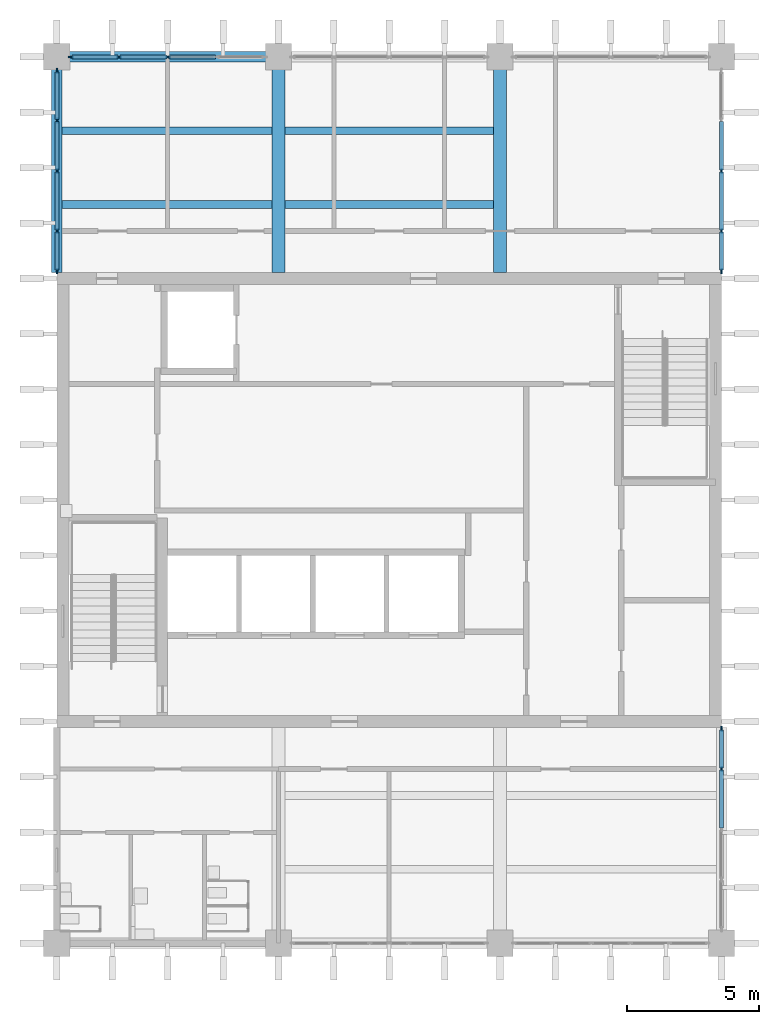
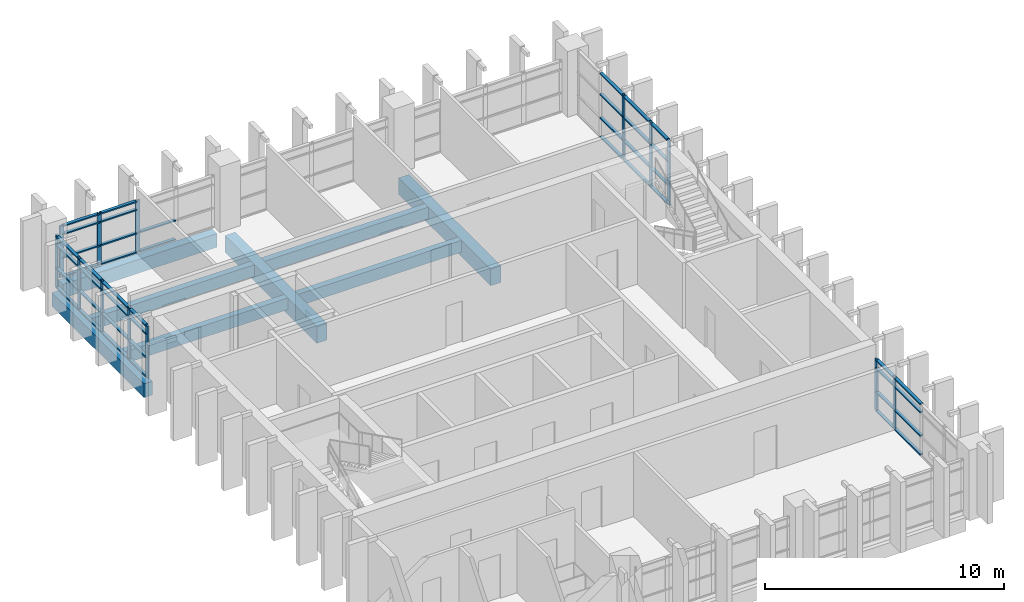
# One storey, part 3 of 11: 59 members, 8 beams, 4 elements without a shape of their own.
"""IFC4 building model written with IfcOpenShell, lengths in metres."""

from ifc_helpers import new_model, si_unit, direction, frame, origin, origin_2d, place, context, subcontext, project, spatial, rectangle, extrude, material, layer, layer_set, material_profile, profile_set, type_object, element, aggregate, save


model = new_model("IFC4")

# Units and contexts
model_context = context("Model", 3, precision=1e-05, world=origin(), true_north=direction((0.0, 1.0)))
body_context = subcontext(model_context, "Body", "Model", "MODEL_VIEW")
ifc_project = project(units=[si_unit("LENGTHUNIT", "METRE"), si_unit("AREAUNIT", "SQUARE_METRE"), si_unit("VOLUMEUNIT", "CUBIC_METRE"), si_unit("PLANEANGLEUNIT", "RADIAN"), si_unit("MASSUNIT", "GRAM", prefix="KILO")], contexts=[model_context])

# Site, building, storey
site_placement = place(None, origin())
site = spatial("IfcSite", under=ifc_project, at=site_placement, CompositionType="ELEMENT")
building_placement = place(site_placement, origin())
building = spatial("IfcBuilding", under=site, at=building_placement, Name="Rulbaag Community and Learning Centre", CompositionType="ELEMENT")
storey_placement = place(building_placement, frame((0.0, 0.0, 21.60009765625)))
storey = spatial("IfcBuildingStorey", under=building, at=storey_placement, Name="L05", CompositionType="ELEMENT", Elevation=21.60009765625)

# Beams
ifc_material_1 = material(Name="Concrete M40", Category="concrete")
ifc_material_profile_1 = material_profile(ifc_material_1, rectangle(XDim=0.39990234375, YDim=0.699951171875, at=origin_2d()), Name="RB400x700")
ifc_profile_set_1 = profile_set([ifc_material_profile_1], Name="Concrete M40")
beam_type_1 = type_object("IfcBeamType", Name="B17 Tower edge beam, lower zone 400x700 Concrete M40", PredefinedType="BEAM", material=ifc_profile_set_1)
beam_1_placement = place(storey_placement, frame((142.800048828125, 109.425048828125, -0.60009765625), z_axis=(0.0, 1.0, 0.0), x_axis=(-1.0, 0.0, 0.0)))
element("IfcBeam", 1, at=beam_1_placement, inside=storey, type_object=beam_type_1, Name="BM-L05-18N-18O", PredefinedType="BEAM", context=body_context, shape_type="SweptSolid", body=[
    extrude(rectangle(XDim=0.39990234375, YDim=0.699951171875, at=origin_2d()), origin(), (0.0, 0.0, 1.0), 7.695068359375),
])
beam_2_placement = place(storey_placement, frame((143.280029296875, 117.60009765625, -0.60009765625), z_axis=(1.0, 0.0, 0.0), x_axis=(0.0, 1.0, 0.0)))
element("IfcBeam", 2, at=beam_2_placement, inside=storey, type_object=beam_type_1, Name="BM-L05-18O-19O", PredefinedType="BEAM", context=body_context, shape_type="SweptSolid", body=[
    extrude(rectangle(XDim=0.39990234375, YDim=0.699951171875, at=origin_2d()), origin(), (0.0, 0.0, 1.0), 7.43994140625),
])
ifc_material_profile_2 = material_profile(ifc_material_1, rectangle(XDim=0.5, YDim=0.85009765625, at=origin_2d()), Name="RB500x850")
ifc_profile_set_2 = profile_set([ifc_material_profile_2], Name="Concrete M40")
beam_type_2 = type_object("IfcBeamType", Name="B18 Core-framing beam, lower zone 500x850 Concrete M40", PredefinedType="BEAM", material=ifc_profile_set_2)
for number, where, z_axis, x_axis, name in (
    (3, (151.199951171875, 109.425048828125, -0.675048828125), (0.0, 1.0, 0.0), (-1.0, 0.0, 0.0), "BM-L05-19N-19O"),
    (4, (159.60009765625, 109.425048828125, -0.675048828125), (0.0, 1.0, 0.0), (-1.0, 0.0, 0.0), "BM-L05-20N-20O"),
):
    element("IfcBeam", number, at=place(storey_placement, frame(where, z_axis=z_axis, x_axis=x_axis)), inside=storey, type_object=beam_type_2, Name=name, PredefinedType="BEAM", context=body_context, shape_type="SweptSolid", body=[
        extrude(rectangle(XDim=0.5, YDim=0.85009765625, at=origin_2d()), origin(), (0.0, 0.0, 1.0), 7.695068359375),
    ])
ifc_material_profile_3 = material_profile(ifc_material_1, rectangle(XDim=0.300048828125, YDim=0.60009765625, at=origin_2d()), Name="RB300x600")
ifc_profile_set_3 = profile_set([ifc_material_profile_3], Name="Concrete M40")
beam_type_3 = type_object("IfcBeamType", Name="B30 Secondary joist 300x600 Concrete M40", PredefinedType="BEAM", material=ifc_profile_set_3)
for number, where, z_axis, x_axis, name in (
    (5, (143.0, 112.0, -0.550048828125), (1.0, 0.0, 0.0), (0.0, 1.0, 0.0), "BM-JS-L05-18N-1"),
    (6, (143.0, 114.800048828125, -0.550048828125), (1.0, 0.0, 0.0), (0.0, 1.0, 0.0), "BM-JS-L05-18N-2"),
):
    element("IfcBeam", number, at=place(storey_placement, frame(where, z_axis=z_axis, x_axis=x_axis)), inside=storey, type_object=beam_type_3, Name=name, PredefinedType="BEAM", context=body_context, shape_type="SweptSolid", body=[
        extrude(rectangle(XDim=0.300048828125, YDim=0.60009765625, at=origin_2d()), origin(), (0.0, 0.0, 1.0), 7.949951171875),
    ])
for number, where, z_axis, x_axis, name in (
    (7, (151.449951171875, 112.0, -0.550048828125), (1.0, 0.0, 0.0), (0.0, 1.0, 0.0), "BM-JS-L05-19N-1"),
    (8, (151.449951171875, 114.800048828125, -0.550048828125), (1.0, 0.0, 0.0), (0.0, 1.0, 0.0), "BM-JS-L05-19N-2"),
):
    element("IfcBeam", number, at=place(storey_placement, frame(where, z_axis=z_axis, x_axis=x_axis)), inside=storey, type_object=beam_type_3, Name=name, PredefinedType="BEAM", context=body_context, shape_type="SweptSolid", body=[
        extrude(rectangle(XDim=0.300048828125, YDim=0.60009765625, at=origin_2d()), origin(), (0.0, 0.0, 1.0), 7.900146484375),
    ])

# Curtain wall, members
ifc_material_2 = material(Name="Aluminium", Category="aluminium")
ifc_layer = layer(ifc_material_2, 0.14990234375)
ifc_layer_set = layer_set([ifc_layer], Name="CW-T")
curtain_wall_type = type_object("IfcCurtainWallType", Name="CW-T", PredefinedType="USERDEFINED", material=ifc_layer_set)
curtain_wall_1_placement = place(storey_placement, origin())
curtain_wall_1 = element("IfcCurtainWall", 9, at=curtain_wall_1_placement, inside=storey, type_object=curtain_wall_type, Name="GT-L05-01", ObjectType="UNITISED CURTAIN WALL", PredefinedType="USERDEFINED")
ifc_material_3 = material(Name="Aluminium mullion", Category="aluminium")
ifc_material_profile_4 = material_profile(ifc_material_3, rectangle(XDim=0.06494140625, YDim=0.199951171875, at=origin_2d()), Name="AL 65x200")
ifc_profile_set_4 = profile_set([ifc_material_profile_4], Name="Aluminium mullion")
member_type_1 = type_object("IfcMemberType", Name="CW-T-MUL", PredefinedType="MULLION", material=ifc_profile_set_4)
member_1_placement = place(storey_placement, frame((143.33251953125, 117.60009765625, 0.0), z_axis=(0.0, 0.0, 1.0), x_axis=(0.0, 1.0, 0.0)))
member_1 = element("IfcMember", 10, at=member_1_placement, type_object=member_type_1, Name="GT mullion 1", PredefinedType="MULLION", context=body_context, shape_type="SweptSolid", body=[
    extrude(rectangle(XDim=0.06494140625, YDim=0.199951171875, at=origin_2d()), origin(), (0.0, 0.0, 1.0), 2.64990234375),
])
member_2_placement = place(storey_placement, frame((145.14990234375, 117.60009765625, 0.0), z_axis=(0.0, 0.0, 1.0), x_axis=(0.0, 1.0, 0.0)))
member_2 = element("IfcMember", 11, at=member_2_placement, type_object=member_type_1, Name="GT mullion 2", PredefinedType="MULLION", context=body_context, shape_type="SweptSolid", body=[
    extrude(rectangle(XDim=0.06494140625, YDim=0.199951171875, at=origin_2d()), origin(), (0.0, 0.0, 1.0), 2.64990234375),
])
member_3_placement = place(storey_placement, frame((147.0, 117.60009765625, 0.0), z_axis=(0.0, 0.0, 1.0), x_axis=(0.0, 1.0, 0.0)))
member_3 = element("IfcMember", 12, at=member_3_placement, type_object=member_type_1, Name="GT mullion 3", PredefinedType="MULLION", context=body_context, shape_type="SweptSolid", body=[
    extrude(rectangle(XDim=0.06494140625, YDim=0.199951171875, at=origin_2d()), origin(), (0.0, 0.0, 1.0), 2.64990234375),
])

curtain_wall_2_placement = place(storey_placement, origin())
curtain_wall_2 = element("IfcCurtainWall", 13, at=curtain_wall_2_placement, inside=storey, type_object=curtain_wall_type, Name="GT-L05-04", ObjectType="UNITISED CURTAIN WALL", PredefinedType="USERDEFINED")
member_4_placement = place(storey_placement, frame((142.800048828125, 109.482421875, 0.0), z_axis=(0.0, 0.0, 1.0), x_axis=(-1.0, 0.0, 0.0)))
member_4 = element("IfcMember", 14, at=member_4_placement, type_object=member_type_1, Name="GT mullion 1", PredefinedType="MULLION", context=body_context, shape_type="SweptSolid", body=[
    extrude(rectangle(XDim=0.06494140625, YDim=0.199951171875, at=origin_2d()), origin(), (0.0, 0.0, 1.0), 2.64990234375),
])
member_5_placement = place(storey_placement, frame((142.800048828125, 111.0, 0.0), z_axis=(0.0, 0.0, 1.0), x_axis=(-1.0, 0.0, 0.0)))
member_5 = element("IfcMember", 15, at=member_5_placement, type_object=member_type_1, Name="GT mullion 2", PredefinedType="MULLION", context=body_context, shape_type="SweptSolid", body=[
    extrude(rectangle(XDim=0.06494140625, YDim=0.199951171875, at=origin_2d()), origin(), (0.0, 0.0, 1.0), 2.64990234375),
])
member_6_placement = place(storey_placement, frame((142.800048828125, 113.27490234375, 0.0), z_axis=(0.0, 0.0, 1.0), x_axis=(-1.0, 0.0, 0.0)))
member_6 = element("IfcMember", 16, at=member_6_placement, type_object=member_type_1, Name="GT mullion 3", PredefinedType="MULLION", context=body_context, shape_type="SweptSolid", body=[
    extrude(rectangle(XDim=0.06494140625, YDim=0.199951171875, at=origin_2d()), origin(), (0.0, 0.0, 1.0), 2.64990234375),
])
member_7_placement = place(storey_placement, frame((142.800048828125, 115.1875, 0.0), z_axis=(0.0, 0.0, 1.0), x_axis=(-1.0, 0.0, 0.0)))
member_7 = element("IfcMember", 17, at=member_7_placement, type_object=member_type_1, Name="GT mullion 4", PredefinedType="MULLION", context=body_context, shape_type="SweptSolid", body=[
    extrude(rectangle(XDim=0.06494140625, YDim=0.199951171875, at=origin_2d()), origin(), (0.0, 0.0, 1.0), 2.64990234375),
])
member_8_placement = place(storey_placement, frame((142.800048828125, 117.0673828125, 0.0), z_axis=(0.0, 0.0, 1.0), x_axis=(-1.0, 0.0, 0.0)))
member_8 = element("IfcMember", 18, at=member_8_placement, type_object=member_type_1, Name="GT mullion 5", PredefinedType="MULLION", context=body_context, shape_type="SweptSolid", body=[
    extrude(rectangle(XDim=0.06494140625, YDim=0.199951171875, at=origin_2d()), origin(), (0.0, 0.0, 1.0), 2.64990234375),
])

curtain_wall_3_placement = place(storey_placement, origin())
curtain_wall_3 = element("IfcCurtainWall", 19, at=curtain_wall_3_placement, inside=storey, type_object=curtain_wall_type, Name="GT-L05-05", ObjectType="UNITISED CURTAIN WALL", PredefinedType="USERDEFINED")
member_9_placement = place(storey_placement, frame((168.0, 90.60009765625, 0.0), z_axis=(0.0, 0.0, 1.0), x_axis=(-1.0, 0.0, 0.0)))
member_9 = element("IfcMember", 20, at=member_9_placement, type_object=member_type_1, Name="GT mullion 4", PredefinedType="MULLION", context=body_context, shape_type="SweptSolid", body=[
    extrude(rectangle(XDim=0.06494140625, YDim=0.199951171875, at=origin_2d()), origin(), (0.0, 0.0, 1.0), 2.64990234375),
])
member_10_placement = place(storey_placement, frame((168.0, 92.117431640625, 0.0), z_axis=(0.0, 0.0, 1.0), x_axis=(-1.0, 0.0, 0.0)))
member_10 = element("IfcMember", 21, at=member_10_placement, type_object=member_type_1, Name="GT mullion 5", PredefinedType="MULLION", context=body_context, shape_type="SweptSolid", body=[
    extrude(rectangle(XDim=0.06494140625, YDim=0.199951171875, at=origin_2d()), origin(), (0.0, 0.0, 1.0), 2.64990234375),
])

curtain_wall_4_placement = place(storey_placement, origin())
curtain_wall_4 = element("IfcCurtainWall", 22, at=curtain_wall_4_placement, inside=storey, type_object=curtain_wall_type, Name="GT-L05-06", ObjectType="UNITISED CURTAIN WALL", PredefinedType="USERDEFINED")
member_11_placement = place(storey_placement, frame((168.0, 109.482421875, 0.0), z_axis=(0.0, 0.0, 1.0), x_axis=(-1.0, 0.0, 0.0)))
member_11 = element("IfcMember", 23, at=member_11_placement, type_object=member_type_1, Name="GT mullion 1", PredefinedType="MULLION", context=body_context, shape_type="SweptSolid", body=[
    extrude(rectangle(XDim=0.06494140625, YDim=0.199951171875, at=origin_2d()), origin(), (0.0, 0.0, 1.0), 3.2998046875),
])
member_12_placement = place(storey_placement, frame((168.0, 111.0, 0.0), z_axis=(0.0, 0.0, 1.0), x_axis=(-1.0, 0.0, 0.0)))
member_12 = element("IfcMember", 24, at=member_12_placement, type_object=member_type_1, Name="GT mullion 2", PredefinedType="MULLION", context=body_context, shape_type="SweptSolid", body=[
    extrude(rectangle(XDim=0.06494140625, YDim=0.199951171875, at=origin_2d()), origin(), (0.0, 0.0, 1.0), 3.2998046875),
])
member_13_placement = place(storey_placement, frame((168.0, 113.27490234375, 0.0), z_axis=(0.0, 0.0, 1.0), x_axis=(-1.0, 0.0, 0.0)))
member_13 = element("IfcMember", 25, at=member_13_placement, type_object=member_type_1, Name="GT mullion 3", PredefinedType="MULLION", context=body_context, shape_type="SweptSolid", body=[
    extrude(rectangle(XDim=0.06494140625, YDim=0.199951171875, at=origin_2d()), origin(), (0.0, 0.0, 1.0), 3.2998046875),
])

# Member
ifc_material_4 = material(Name="Aluminium transom", Category="aluminium")
ifc_material_profile_5 = material_profile(ifc_material_4, rectangle(XDim=0.14990234375, YDim=0.06494140625, at=origin_2d()), Name="AL 65x150 T")
ifc_profile_set_5 = profile_set([ifc_material_profile_5], Name="Aluminium transom")
member_type_2 = type_object("IfcMemberType", Name="CW-T-TRN", PredefinedType="USERDEFINED", material=ifc_profile_set_5)
member_14_placement = place(storey_placement, frame((143.364990234375, 117.60009765625, 0.032470703125), z_axis=(1.0, 0.0, 0.0), x_axis=(0.0, 1.0, 0.0)))
member_14 = element("IfcMember", 26, at=member_14_placement, type_object=member_type_2, Name="GT transom 1.1", ObjectType="TRANSOM", PredefinedType="USERDEFINED", context=body_context, shape_type="SweptSolid", body=[
    extrude(rectangle(XDim=0.14990234375, YDim=0.06494140625, at=origin_2d()), origin(), (0.0, 0.0, 1.0), 1.75244140625),
])

member_15_placement = place(storey_placement, frame((143.364990234375, 117.60009765625, 1.0), z_axis=(1.0, 0.0, 0.0), x_axis=(0.0, 1.0, 0.0)))
member_15 = element("IfcMember", 27, at=member_15_placement, type_object=member_type_2, Name="GT transom 1.2", ObjectType="TRANSOM", PredefinedType="USERDEFINED", context=body_context, shape_type="SweptSolid", body=[
    extrude(rectangle(XDim=0.14990234375, YDim=0.06494140625, at=origin_2d()), origin(), (0.0, 0.0, 1.0), 1.75244140625),
])

member_16_placement = place(storey_placement, frame((143.364990234375, 117.60009765625, 2.199951171875), z_axis=(1.0, 0.0, 0.0), x_axis=(0.0, 1.0, 0.0)))
member_16 = element("IfcMember", 28, at=member_16_placement, type_object=member_type_2, Name="GT transom 1.3", ObjectType="TRANSOM", PredefinedType="USERDEFINED", context=body_context, shape_type="SweptSolid", body=[
    extrude(rectangle(XDim=0.14990234375, YDim=0.06494140625, at=origin_2d()), origin(), (0.0, 0.0, 1.0), 1.75244140625),
])

member_17_placement = place(storey_placement, frame((143.364990234375, 117.60009765625, 2.617431640625), z_axis=(1.0, 0.0, 0.0), x_axis=(0.0, 1.0, 0.0)))
member_17 = element("IfcMember", 29, at=member_17_placement, type_object=member_type_2, Name="GT transom 1.4", ObjectType="TRANSOM", PredefinedType="USERDEFINED", context=body_context, shape_type="SweptSolid", body=[
    extrude(rectangle(XDim=0.14990234375, YDim=0.06494140625, at=origin_2d()), origin(), (0.0, 0.0, 1.0), 1.75244140625),
])

member_18_placement = place(storey_placement, frame((145.1826171875, 117.60009765625, 0.032470703125), z_axis=(1.0, 0.0, 0.0), x_axis=(0.0, 1.0, 0.0)))
member_18 = element("IfcMember", 30, at=member_18_placement, type_object=member_type_2, Name="GT transom 2.1", ObjectType="TRANSOM", PredefinedType="USERDEFINED", context=body_context, shape_type="SweptSolid", body=[
    extrude(rectangle(XDim=0.14990234375, YDim=0.06494140625, at=origin_2d()), origin(), (0.0, 0.0, 1.0), 1.784912109375),
])

member_19_placement = place(storey_placement, frame((145.1826171875, 117.60009765625, 1.0), z_axis=(1.0, 0.0, 0.0), x_axis=(0.0, 1.0, 0.0)))
member_19 = element("IfcMember", 31, at=member_19_placement, type_object=member_type_2, Name="GT transom 2.2", ObjectType="TRANSOM", PredefinedType="USERDEFINED", context=body_context, shape_type="SweptSolid", body=[
    extrude(rectangle(XDim=0.14990234375, YDim=0.06494140625, at=origin_2d()), origin(), (0.0, 0.0, 1.0), 1.784912109375),
])

member_20_placement = place(storey_placement, frame((145.1826171875, 117.60009765625, 2.199951171875), z_axis=(1.0, 0.0, 0.0), x_axis=(0.0, 1.0, 0.0)))
member_20 = element("IfcMember", 32, at=member_20_placement, type_object=member_type_2, Name="GT transom 2.3", ObjectType="TRANSOM", PredefinedType="USERDEFINED", context=body_context, shape_type="SweptSolid", body=[
    extrude(rectangle(XDim=0.14990234375, YDim=0.06494140625, at=origin_2d()), origin(), (0.0, 0.0, 1.0), 1.784912109375),
])

member_21_placement = place(storey_placement, frame((145.1826171875, 117.60009765625, 2.617431640625), z_axis=(1.0, 0.0, 0.0), x_axis=(0.0, 1.0, 0.0)))
member_21 = element("IfcMember", 33, at=member_21_placement, type_object=member_type_2, Name="GT transom 2.4", ObjectType="TRANSOM", PredefinedType="USERDEFINED", context=body_context, shape_type="SweptSolid", body=[
    extrude(rectangle(XDim=0.14990234375, YDim=0.06494140625, at=origin_2d()), origin(), (0.0, 0.0, 1.0), 1.784912109375),
])

member_22_placement = place(storey_placement, frame((147.032470703125, 117.60009765625, 0.032470703125), z_axis=(1.0, 0.0, 0.0), x_axis=(0.0, 1.0, 0.0)))
member_22 = element("IfcMember", 34, at=member_22_placement, type_object=member_type_2, Name="GT transom 3.1", ObjectType="TRANSOM", PredefinedType="USERDEFINED", context=body_context, shape_type="SweptSolid", body=[
    extrude(rectangle(XDim=0.14990234375, YDim=0.06494140625, at=origin_2d()), origin(), (0.0, 0.0, 1.0), 1.784912109375),
])

member_23_placement = place(storey_placement, frame((147.032470703125, 117.60009765625, 1.0), z_axis=(1.0, 0.0, 0.0), x_axis=(0.0, 1.0, 0.0)))
member_23 = element("IfcMember", 35, at=member_23_placement, type_object=member_type_2, Name="GT transom 3.2", ObjectType="TRANSOM", PredefinedType="USERDEFINED", context=body_context, shape_type="SweptSolid", body=[
    extrude(rectangle(XDim=0.14990234375, YDim=0.06494140625, at=origin_2d()), origin(), (0.0, 0.0, 1.0), 1.784912109375),
])

aggregate(curtain_wall_1, [member_1, member_2, member_3, member_14, member_15, member_16, member_17, member_18, member_19, member_20, member_21, member_22, member_23])

member_24_placement = place(storey_placement, frame((142.800048828125, 109.514892578125, 0.032470703125), z_axis=(0.0, 1.0, 0.0), x_axis=(-1.0, 0.0, 0.0)))
member_24 = element("IfcMember", 36, at=member_24_placement, type_object=member_type_2, Name="GT transom 1.1", ObjectType="TRANSOM", PredefinedType="USERDEFINED", context=body_context, shape_type="SweptSolid", body=[
    extrude(rectangle(XDim=0.14990234375, YDim=0.06494140625, at=origin_2d()), origin(), (0.0, 0.0, 1.0), 1.45263671875),
])

member_25_placement = place(storey_placement, frame((142.800048828125, 109.514892578125, 1.0), z_axis=(0.0, 1.0, 0.0), x_axis=(-1.0, 0.0, 0.0)))
member_25 = element("IfcMember", 37, at=member_25_placement, type_object=member_type_2, Name="GT transom 1.2", ObjectType="TRANSOM", PredefinedType="USERDEFINED", context=body_context, shape_type="SweptSolid", body=[
    extrude(rectangle(XDim=0.14990234375, YDim=0.06494140625, at=origin_2d()), origin(), (0.0, 0.0, 1.0), 1.45263671875),
])

member_26_placement = place(storey_placement, frame((142.800048828125, 109.514892578125, 2.199951171875), z_axis=(0.0, 1.0, 0.0), x_axis=(-1.0, 0.0, 0.0)))
member_26 = element("IfcMember", 38, at=member_26_placement, type_object=member_type_2, Name="GT transom 1.3", ObjectType="TRANSOM", PredefinedType="USERDEFINED", context=body_context, shape_type="SweptSolid", body=[
    extrude(rectangle(XDim=0.14990234375, YDim=0.06494140625, at=origin_2d()), origin(), (0.0, 0.0, 1.0), 1.45263671875),
])

member_27_placement = place(storey_placement, frame((142.800048828125, 109.514892578125, 2.617431640625), z_axis=(0.0, 1.0, 0.0), x_axis=(-1.0, 0.0, 0.0)))
member_27 = element("IfcMember", 39, at=member_27_placement, type_object=member_type_2, Name="GT transom 1.4", ObjectType="TRANSOM", PredefinedType="USERDEFINED", context=body_context, shape_type="SweptSolid", body=[
    extrude(rectangle(XDim=0.14990234375, YDim=0.06494140625, at=origin_2d()), origin(), (0.0, 0.0, 1.0), 1.45263671875),
])

member_28_placement = place(storey_placement, frame((142.800048828125, 111.032470703125, 0.032470703125), z_axis=(0.0, 1.0, 0.0), x_axis=(-1.0, 0.0, 0.0)))
member_28 = element("IfcMember", 40, at=member_28_placement, type_object=member_type_2, Name="GT transom 2.1", ObjectType="TRANSOM", PredefinedType="USERDEFINED", context=body_context, shape_type="SweptSolid", body=[
    extrude(rectangle(XDim=0.14990234375, YDim=0.06494140625, at=origin_2d()), origin(), (0.0, 0.0, 1.0), 2.2099609375),
])

member_29_placement = place(storey_placement, frame((142.800048828125, 111.032470703125, 1.0), z_axis=(0.0, 1.0, 0.0), x_axis=(-1.0, 0.0, 0.0)))
member_29 = element("IfcMember", 41, at=member_29_placement, type_object=member_type_2, Name="GT transom 2.2", ObjectType="TRANSOM", PredefinedType="USERDEFINED", context=body_context, shape_type="SweptSolid", body=[
    extrude(rectangle(XDim=0.14990234375, YDim=0.06494140625, at=origin_2d()), origin(), (0.0, 0.0, 1.0), 2.2099609375),
])

member_30_placement = place(storey_placement, frame((142.800048828125, 111.032470703125, 2.199951171875), z_axis=(0.0, 1.0, 0.0), x_axis=(-1.0, 0.0, 0.0)))
member_30 = element("IfcMember", 42, at=member_30_placement, type_object=member_type_2, Name="GT transom 2.3", ObjectType="TRANSOM", PredefinedType="USERDEFINED", context=body_context, shape_type="SweptSolid", body=[
    extrude(rectangle(XDim=0.14990234375, YDim=0.06494140625, at=origin_2d()), origin(), (0.0, 0.0, 1.0), 2.2099609375),
])

member_31_placement = place(storey_placement, frame((142.800048828125, 111.032470703125, 2.617431640625), z_axis=(0.0, 1.0, 0.0), x_axis=(-1.0, 0.0, 0.0)))
member_31 = element("IfcMember", 43, at=member_31_placement, type_object=member_type_2, Name="GT transom 2.4", ObjectType="TRANSOM", PredefinedType="USERDEFINED", context=body_context, shape_type="SweptSolid", body=[
    extrude(rectangle(XDim=0.14990234375, YDim=0.06494140625, at=origin_2d()), origin(), (0.0, 0.0, 1.0), 2.2099609375),
])

member_32_placement = place(storey_placement, frame((142.800048828125, 113.3076171875, 0.032470703125), z_axis=(0.0, 1.0, 0.0), x_axis=(-1.0, 0.0, 0.0)))
member_32 = element("IfcMember", 44, at=member_32_placement, type_object=member_type_2, Name="GT transom 3.1", ObjectType="TRANSOM", PredefinedType="USERDEFINED", context=body_context, shape_type="SweptSolid", body=[
    extrude(rectangle(XDim=0.14990234375, YDim=0.06494140625, at=origin_2d()), origin(), (0.0, 0.0, 1.0), 1.847412109375),
])

member_33_placement = place(storey_placement, frame((142.800048828125, 113.3076171875, 1.0), z_axis=(0.0, 1.0, 0.0), x_axis=(-1.0, 0.0, 0.0)))
member_33 = element("IfcMember", 45, at=member_33_placement, type_object=member_type_2, Name="GT transom 3.2", ObjectType="TRANSOM", PredefinedType="USERDEFINED", context=body_context, shape_type="SweptSolid", body=[
    extrude(rectangle(XDim=0.14990234375, YDim=0.06494140625, at=origin_2d()), origin(), (0.0, 0.0, 1.0), 1.847412109375),
])

member_34_placement = place(storey_placement, frame((142.800048828125, 113.3076171875, 2.199951171875), z_axis=(0.0, 1.0, 0.0), x_axis=(-1.0, 0.0, 0.0)))
member_34 = element("IfcMember", 46, at=member_34_placement, type_object=member_type_2, Name="GT transom 3.3", ObjectType="TRANSOM", PredefinedType="USERDEFINED", context=body_context, shape_type="SweptSolid", body=[
    extrude(rectangle(XDim=0.14990234375, YDim=0.06494140625, at=origin_2d()), origin(), (0.0, 0.0, 1.0), 1.847412109375),
])

member_35_placement = place(storey_placement, frame((142.800048828125, 113.3076171875, 2.617431640625), z_axis=(0.0, 1.0, 0.0), x_axis=(-1.0, 0.0, 0.0)))
member_35 = element("IfcMember", 47, at=member_35_placement, type_object=member_type_2, Name="GT transom 3.4", ObjectType="TRANSOM", PredefinedType="USERDEFINED", context=body_context, shape_type="SweptSolid", body=[
    extrude(rectangle(XDim=0.14990234375, YDim=0.06494140625, at=origin_2d()), origin(), (0.0, 0.0, 1.0), 1.847412109375),
])

member_36_placement = place(storey_placement, frame((142.800048828125, 115.219970703125, 0.032470703125), z_axis=(0.0, 1.0, 0.0), x_axis=(-1.0, 0.0, 0.0)))
member_36 = element("IfcMember", 48, at=member_36_placement, type_object=member_type_2, Name="GT transom 4.1", ObjectType="TRANSOM", PredefinedType="USERDEFINED", context=body_context, shape_type="SweptSolid", body=[
    extrude(rectangle(XDim=0.14990234375, YDim=0.06494140625, at=origin_2d()), origin(), (0.0, 0.0, 1.0), 1.81494140625),
])

member_37_placement = place(storey_placement, frame((142.800048828125, 115.219970703125, 1.0), z_axis=(0.0, 1.0, 0.0), x_axis=(-1.0, 0.0, 0.0)))
member_37 = element("IfcMember", 49, at=member_37_placement, type_object=member_type_2, Name="GT transom 4.2", ObjectType="TRANSOM", PredefinedType="USERDEFINED", context=body_context, shape_type="SweptSolid", body=[
    extrude(rectangle(XDim=0.14990234375, YDim=0.06494140625, at=origin_2d()), origin(), (0.0, 0.0, 1.0), 1.81494140625),
])

member_38_placement = place(storey_placement, frame((142.800048828125, 115.219970703125, 2.199951171875), z_axis=(0.0, 1.0, 0.0), x_axis=(-1.0, 0.0, 0.0)))
member_38 = element("IfcMember", 50, at=member_38_placement, type_object=member_type_2, Name="GT transom 4.3", ObjectType="TRANSOM", PredefinedType="USERDEFINED", context=body_context, shape_type="SweptSolid", body=[
    extrude(rectangle(XDim=0.14990234375, YDim=0.06494140625, at=origin_2d()), origin(), (0.0, 0.0, 1.0), 1.81494140625),
])

member_39_placement = place(storey_placement, frame((142.800048828125, 115.219970703125, 2.617431640625), z_axis=(0.0, 1.0, 0.0), x_axis=(-1.0, 0.0, 0.0)))
member_39 = element("IfcMember", 51, at=member_39_placement, type_object=member_type_2, Name="GT transom 4.4", ObjectType="TRANSOM", PredefinedType="USERDEFINED", context=body_context, shape_type="SweptSolid", body=[
    extrude(rectangle(XDim=0.14990234375, YDim=0.06494140625, at=origin_2d()), origin(), (0.0, 0.0, 1.0), 1.81494140625),
])

aggregate(curtain_wall_2, [member_4, member_5, member_6, member_7, member_8, member_24, member_25, member_26, member_27, member_28, member_29, member_30, member_31, member_32, member_33, member_34, member_35, member_36, member_37, member_38, member_39])

member_40_placement = place(storey_placement, frame((168.0, 88.357421875, 0.032470703125), z_axis=(0.0, 1.0, 0.0), x_axis=(-1.0, 0.0, 0.0)))
member_40 = element("IfcMember", 52, at=member_40_placement, type_object=member_type_2, Name="GT transom 3.1", ObjectType="TRANSOM", PredefinedType="USERDEFINED", context=body_context, shape_type="SweptSolid", body=[
    extrude(rectangle(XDim=0.14990234375, YDim=0.06494140625, at=origin_2d()), origin(), (0.0, 0.0, 1.0), 2.2099609375),
])

member_41_placement = place(storey_placement, frame((168.0, 88.357421875, 1.0), z_axis=(0.0, 1.0, 0.0), x_axis=(-1.0, 0.0, 0.0)))
member_41 = element("IfcMember", 53, at=member_41_placement, type_object=member_type_2, Name="GT transom 3.2", ObjectType="TRANSOM", PredefinedType="USERDEFINED", context=body_context, shape_type="SweptSolid", body=[
    extrude(rectangle(XDim=0.14990234375, YDim=0.06494140625, at=origin_2d()), origin(), (0.0, 0.0, 1.0), 2.2099609375),
])

member_42_placement = place(storey_placement, frame((168.0, 88.357421875, 2.199951171875), z_axis=(0.0, 1.0, 0.0), x_axis=(-1.0, 0.0, 0.0)))
member_42 = element("IfcMember", 54, at=member_42_placement, type_object=member_type_2, Name="GT transom 3.3", ObjectType="TRANSOM", PredefinedType="USERDEFINED", context=body_context, shape_type="SweptSolid", body=[
    extrude(rectangle(XDim=0.14990234375, YDim=0.06494140625, at=origin_2d()), origin(), (0.0, 0.0, 1.0), 2.2099609375),
])

member_43_placement = place(storey_placement, frame((168.0, 88.357421875, 2.617431640625), z_axis=(0.0, 1.0, 0.0), x_axis=(-1.0, 0.0, 0.0)))
member_43 = element("IfcMember", 55, at=member_43_placement, type_object=member_type_2, Name="GT transom 3.4", ObjectType="TRANSOM", PredefinedType="USERDEFINED", context=body_context, shape_type="SweptSolid", body=[
    extrude(rectangle(XDim=0.14990234375, YDim=0.06494140625, at=origin_2d()), origin(), (0.0, 0.0, 1.0), 2.2099609375),
])

member_44_placement = place(storey_placement, frame((168.0, 90.632568359375, 0.032470703125), z_axis=(0.0, 1.0, 0.0), x_axis=(-1.0, 0.0, 0.0)))
member_44 = element("IfcMember", 56, at=member_44_placement, type_object=member_type_2, Name="GT transom 4.1", ObjectType="TRANSOM", PredefinedType="USERDEFINED", context=body_context, shape_type="SweptSolid", body=[
    extrude(rectangle(XDim=0.14990234375, YDim=0.06494140625, at=origin_2d()), origin(), (0.0, 0.0, 1.0), 1.452392578125),
])

member_45_placement = place(storey_placement, frame((168.0, 90.632568359375, 1.0), z_axis=(0.0, 1.0, 0.0), x_axis=(-1.0, 0.0, 0.0)))
member_45 = element("IfcMember", 57, at=member_45_placement, type_object=member_type_2, Name="GT transom 4.2", ObjectType="TRANSOM", PredefinedType="USERDEFINED", context=body_context, shape_type="SweptSolid", body=[
    extrude(rectangle(XDim=0.14990234375, YDim=0.06494140625, at=origin_2d()), origin(), (0.0, 0.0, 1.0), 1.452392578125),
])

member_46_placement = place(storey_placement, frame((168.0, 90.632568359375, 2.199951171875), z_axis=(0.0, 1.0, 0.0), x_axis=(-1.0, 0.0, 0.0)))
member_46 = element("IfcMember", 58, at=member_46_placement, type_object=member_type_2, Name="GT transom 4.3", ObjectType="TRANSOM", PredefinedType="USERDEFINED", context=body_context, shape_type="SweptSolid", body=[
    extrude(rectangle(XDim=0.14990234375, YDim=0.06494140625, at=origin_2d()), origin(), (0.0, 0.0, 1.0), 1.452392578125),
])

member_47_placement = place(storey_placement, frame((168.0, 90.632568359375, 2.617431640625), z_axis=(0.0, 1.0, 0.0), x_axis=(-1.0, 0.0, 0.0)))
member_47 = element("IfcMember", 59, at=member_47_placement, type_object=member_type_2, Name="GT transom 4.4", ObjectType="TRANSOM", PredefinedType="USERDEFINED", context=body_context, shape_type="SweptSolid", body=[
    extrude(rectangle(XDim=0.14990234375, YDim=0.06494140625, at=origin_2d()), origin(), (0.0, 0.0, 1.0), 1.452392578125),
])

aggregate(curtain_wall_3, [member_9, member_10, member_40, member_41, member_42, member_43, member_44, member_45, member_46, member_47])

member_48_placement = place(storey_placement, frame((168.0, 109.514892578125, 0.032470703125), z_axis=(0.0, 1.0, 0.0), x_axis=(-1.0, 0.0, 0.0)))
member_48 = element("IfcMember", 60, at=member_48_placement, type_object=member_type_2, Name="GT transom 1.1", ObjectType="TRANSOM", PredefinedType="USERDEFINED", context=body_context, shape_type="SweptSolid", body=[
    extrude(rectangle(XDim=0.14990234375, YDim=0.06494140625, at=origin_2d()), origin(), (0.0, 0.0, 1.0), 1.45263671875),
])

member_49_placement = place(storey_placement, frame((168.0, 109.514892578125, 1.0), z_axis=(0.0, 1.0, 0.0), x_axis=(-1.0, 0.0, 0.0)))
member_49 = element("IfcMember", 61, at=member_49_placement, type_object=member_type_2, Name="GT transom 1.2", ObjectType="TRANSOM", PredefinedType="USERDEFINED", context=body_context, shape_type="SweptSolid", body=[
    extrude(rectangle(XDim=0.14990234375, YDim=0.06494140625, at=origin_2d()), origin(), (0.0, 0.0, 1.0), 1.45263671875),
])

member_50_placement = place(storey_placement, frame((168.0, 109.514892578125, 2.199951171875), z_axis=(0.0, 1.0, 0.0), x_axis=(-1.0, 0.0, 0.0)))
member_50 = element("IfcMember", 62, at=member_50_placement, type_object=member_type_2, Name="GT transom 1.3", ObjectType="TRANSOM", PredefinedType="USERDEFINED", context=body_context, shape_type="SweptSolid", body=[
    extrude(rectangle(XDim=0.14990234375, YDim=0.06494140625, at=origin_2d()), origin(), (0.0, 0.0, 1.0), 1.45263671875),
])

member_51_placement = place(storey_placement, frame((168.0, 109.514892578125, 3.267333984375), z_axis=(0.0, 1.0, 0.0), x_axis=(-1.0, 0.0, 0.0)))
member_51 = element("IfcMember", 63, at=member_51_placement, type_object=member_type_2, Name="GT transom 1.4", ObjectType="TRANSOM", PredefinedType="USERDEFINED", context=body_context, shape_type="SweptSolid", body=[
    extrude(rectangle(XDim=0.14990234375, YDim=0.06494140625, at=origin_2d()), origin(), (0.0, 0.0, 1.0), 1.45263671875),
])

member_52_placement = place(storey_placement, frame((168.0, 111.032470703125, 0.032470703125), z_axis=(0.0, 1.0, 0.0), x_axis=(-1.0, 0.0, 0.0)))
member_52 = element("IfcMember", 64, at=member_52_placement, type_object=member_type_2, Name="GT transom 2.1", ObjectType="TRANSOM", PredefinedType="USERDEFINED", context=body_context, shape_type="SweptSolid", body=[
    extrude(rectangle(XDim=0.14990234375, YDim=0.06494140625, at=origin_2d()), origin(), (0.0, 0.0, 1.0), 2.2099609375),
])

member_53_placement = place(storey_placement, frame((168.0, 111.032470703125, 1.0), z_axis=(0.0, 1.0, 0.0), x_axis=(-1.0, 0.0, 0.0)))
member_53 = element("IfcMember", 65, at=member_53_placement, type_object=member_type_2, Name="GT transom 2.2", ObjectType="TRANSOM", PredefinedType="USERDEFINED", context=body_context, shape_type="SweptSolid", body=[
    extrude(rectangle(XDim=0.14990234375, YDim=0.06494140625, at=origin_2d()), origin(), (0.0, 0.0, 1.0), 2.2099609375),
])

member_54_placement = place(storey_placement, frame((168.0, 111.032470703125, 2.199951171875), z_axis=(0.0, 1.0, 0.0), x_axis=(-1.0, 0.0, 0.0)))
member_54 = element("IfcMember", 66, at=member_54_placement, type_object=member_type_2, Name="GT transom 2.3", ObjectType="TRANSOM", PredefinedType="USERDEFINED", context=body_context, shape_type="SweptSolid", body=[
    extrude(rectangle(XDim=0.14990234375, YDim=0.06494140625, at=origin_2d()), origin(), (0.0, 0.0, 1.0), 2.2099609375),
])

member_55_placement = place(storey_placement, frame((168.0, 111.032470703125, 3.267333984375), z_axis=(0.0, 1.0, 0.0), x_axis=(-1.0, 0.0, 0.0)))
member_55 = element("IfcMember", 67, at=member_55_placement, type_object=member_type_2, Name="GT transom 2.4", ObjectType="TRANSOM", PredefinedType="USERDEFINED", context=body_context, shape_type="SweptSolid", body=[
    extrude(rectangle(XDim=0.14990234375, YDim=0.06494140625, at=origin_2d()), origin(), (0.0, 0.0, 1.0), 2.2099609375),
])

member_56_placement = place(storey_placement, frame((168.0, 113.3076171875, 0.032470703125), z_axis=(0.0, 1.0, 0.0), x_axis=(-1.0, 0.0, 0.0)))
member_56 = element("IfcMember", 68, at=member_56_placement, type_object=member_type_2, Name="GT transom 3.1", ObjectType="TRANSOM", PredefinedType="USERDEFINED", context=body_context, shape_type="SweptSolid", body=[
    extrude(rectangle(XDim=0.14990234375, YDim=0.06494140625, at=origin_2d()), origin(), (0.0, 0.0, 1.0), 1.847412109375),
])

member_57_placement = place(storey_placement, frame((168.0, 113.3076171875, 1.0), z_axis=(0.0, 1.0, 0.0), x_axis=(-1.0, 0.0, 0.0)))
member_57 = element("IfcMember", 69, at=member_57_placement, type_object=member_type_2, Name="GT transom 3.2", ObjectType="TRANSOM", PredefinedType="USERDEFINED", context=body_context, shape_type="SweptSolid", body=[
    extrude(rectangle(XDim=0.14990234375, YDim=0.06494140625, at=origin_2d()), origin(), (0.0, 0.0, 1.0), 1.847412109375),
])

member_58_placement = place(storey_placement, frame((168.0, 113.3076171875, 2.199951171875), z_axis=(0.0, 1.0, 0.0), x_axis=(-1.0, 0.0, 0.0)))
member_58 = element("IfcMember", 70, at=member_58_placement, type_object=member_type_2, Name="GT transom 3.3", ObjectType="TRANSOM", PredefinedType="USERDEFINED", context=body_context, shape_type="SweptSolid", body=[
    extrude(rectangle(XDim=0.14990234375, YDim=0.06494140625, at=origin_2d()), origin(), (0.0, 0.0, 1.0), 1.847412109375),
])

member_59_placement = place(storey_placement, frame((168.0, 113.3076171875, 3.267333984375), z_axis=(0.0, 1.0, 0.0), x_axis=(-1.0, 0.0, 0.0)))
member_59 = element("IfcMember", 71, at=member_59_placement, type_object=member_type_2, Name="GT transom 3.4", ObjectType="TRANSOM", PredefinedType="USERDEFINED", context=body_context, shape_type="SweptSolid", body=[
    extrude(rectangle(XDim=0.14990234375, YDim=0.06494140625, at=origin_2d()), origin(), (0.0, 0.0, 1.0), 1.847412109375),
])

aggregate(curtain_wall_4, [member_11, member_12, member_13, member_48, member_49, member_50, member_51, member_52, member_53, member_54, member_55, member_56, member_57, member_58, member_59])

save(model, "model.ifc")
